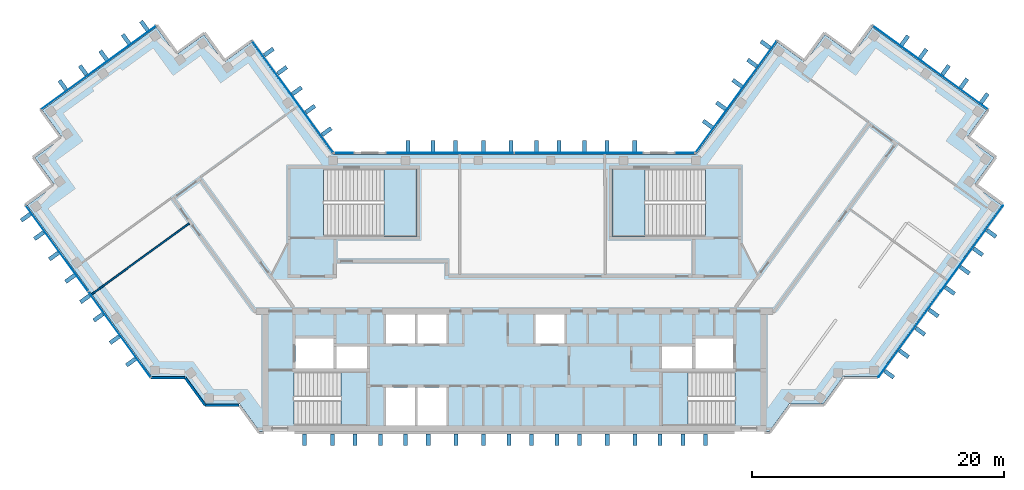
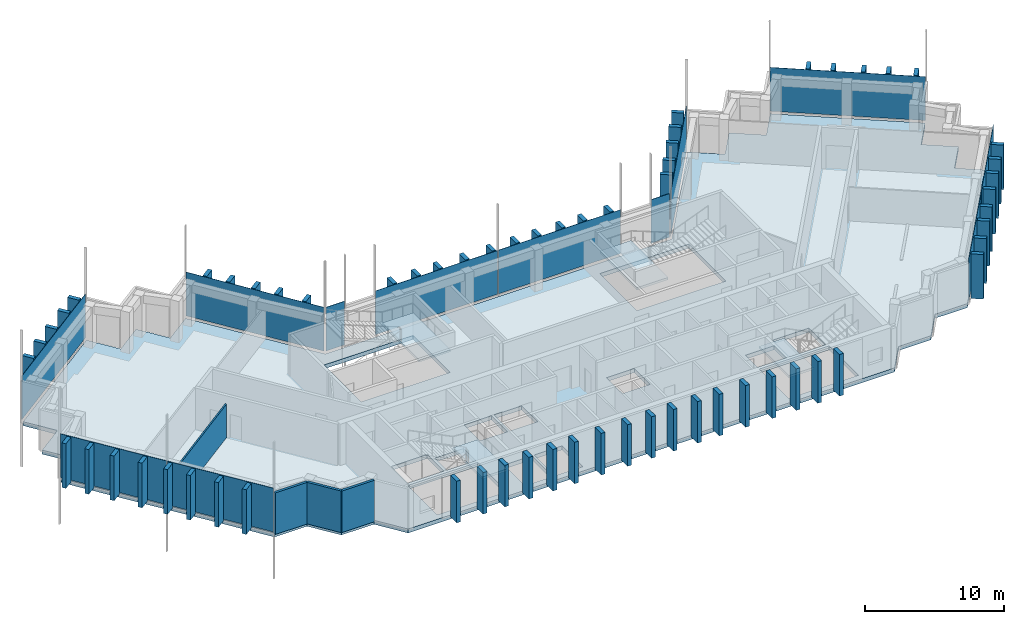
"""IFC4 building model written with IfcOpenShell, lengths in metres."""

from ifc_helpers import new_model, si_unit, direction, frame, frame_2d, origin, origin_2d, place, context, subcontext, project, spatial, polyline, rectangle, outline, extrude, material, layer, layer_set, type_object, element, aggregate, save


model = new_model("IFC4")

# Units and contexts
model_context = context("Model", 3, precision=1e-05, world=origin(), true_north=direction((0.0, 1.0)))
body_context = subcontext(model_context, "Body", "Model", "MODEL_VIEW")
ifc_project = project(units=[si_unit("LENGTHUNIT", "METRE"), si_unit("AREAUNIT", "SQUARE_METRE"), si_unit("VOLUMEUNIT", "CUBIC_METRE"), si_unit("PLANEANGLEUNIT", "RADIAN"), si_unit("MASSUNIT", "GRAM", prefix="KILO")], contexts=[model_context])

# Site, building, storey
site_placement = place(None, origin())
site = spatial("IfcSite", under=ifc_project, at=site_placement, CompositionType="ELEMENT")
building_placement = place(site_placement, origin())
building = spatial("IfcBuilding", under=site, at=building_placement, Name="Quipu Civic Tower", CompositionType="ELEMENT")
storey_1_placement = place(building_placement, frame((0.0, 0.0, 323.0)))
storey_1 = spatial("IfcBuildingStorey", under=building, at=storey_1_placement, Name="L75", CompositionType="ELEMENT", Elevation=323.0)

# Slab
ifc_material_1 = material(Name="Concrete C40/50", Category="concrete")
ifc_layer_1 = layer(ifc_material_1, 0.35009765625)
ifc_layer_set_1 = layer_set([ifc_layer_1], Name="Concrete C40/50")
slab_type_1 = type_object("IfcSlabType", Name="Floor slab 350 C40/50", PredefinedType="FLOOR", material=ifc_layer_set_1)
slab_1_placement = place(storey_1_placement, frame((0.0, 0.0, -0.35009765625)))
element("IfcSlab", 1, at=slab_1_placement, inside=storey_1, type_object=slab_type_1, Name="Floor slab L75", PredefinedType="FLOOR", context=body_context, shape_type="SweptSolid", body=[
    extrude(outline(polyline([(20.860107421875, 19.89501953125), (23.0400390625, 18.31005859375), (24.6298828125, 20.4951171875), (26.81494140625, 18.905029296875), (28.39990234375, 21.090087890625), (37.4599609375, 14.5048828125), (35.875, 12.320068359375), (38.06005859375, 10.735107421875), (36.469970703125, 8.550048828125), (38.655029296875, 6.965087890625), (28.780029296875, -6.6298828125), (26.080078125, -6.6298828125), (24.489990234375, -8.81494140625), (21.7900390625, -8.81494140625), (20.205078125, -11.0), (-20.205078125, -11.0), (-21.7900390625, -8.81494140625), (-24.489990234375, -8.81494140625), (-26.080078125, -6.6298828125), (-28.780029296875, -6.6298828125), (-38.655029296875, 6.965087890625), (-36.469970703125, 8.550048828125), (-38.06005859375, 10.735107421875), (-35.875, 12.320068359375), (-37.4599609375, 14.5048828125), (-28.39990234375, 21.090087890625), (-26.81494140625, 18.905029296875), (-24.6298828125, 20.4951171875), (-23.0400390625, 18.31005859375), (-20.860107421875, 19.89501953125), (-14.39501953125, 11.0), (14.39501953125, 11.0), (20.860107421875, 19.89501953125)]), holes=[polyline([(-10.199951171875, -10.5), (-7.89990234375, -10.5), (-7.89990234375, -7.5), (-10.199951171875, -7.5), (-10.199951171875, -10.5)]), polyline([(-7.699951171875, -7.5), (-7.699951171875, -10.5), (-5.39990234375, -10.5), (-5.39990234375, -7.5), (-7.699951171875, -7.5)]), polyline([(-11.705078125, -6.2548828125), (-17.4951171875, -6.2548828125), (-17.4951171875, -10.4951171875), (-11.705078125, -10.4951171875), (-11.705078125, -6.2548828125)]), polyline([(-14.10009765625, -6.0), (-11.699951171875, -6.0), (-11.699951171875, -4.25), (-14.10009765625, -4.25), (-14.10009765625, -6.0)]), polyline([(-17.35009765625, -3.60009765625), (-17.35009765625, -6.0), (-14.35009765625, -6.0), (-14.35009765625, -3.60009765625), (-17.35009765625, -3.60009765625)]), polyline([(-10.199951171875, -1.699951171875), (-10.199951171875, -4.0), (-7.89990234375, -4.0), (-7.89990234375, -1.699951171875), (-10.199951171875, -1.699951171875)]), polyline([(-15.14501953125, 9.844970703125), (-15.14501953125, 4.5048828125), (-7.7548828125, 4.5048828125), (-7.7548828125, 9.844970703125), (-15.14501953125, 9.844970703125)]), polyline([(11.705078125, -10.4951171875), (17.4951171875, -10.4951171875), (17.4951171875, -6.2548828125), (11.705078125, -6.2548828125), (11.705078125, -10.4951171875)]), polyline([(11.699951171875, -4.25), (11.699951171875, -6.0), (14.10009765625, -6.0), (14.10009765625, -4.25), (11.699951171875, -4.25)]), polyline([(14.35009765625, -3.60009765625), (14.35009765625, -6.0), (17.35009765625, -6.0), (17.35009765625, -3.60009765625), (14.35009765625, -3.60009765625)]), polyline([(-7.699951171875, -1.699951171875), (-7.699951171875, -4.0), (-5.39990234375, -4.0), (-5.39990234375, -1.699951171875), (-7.699951171875, -1.699951171875)]), polyline([(1.64990234375, -1.699951171875), (1.64990234375, -4.0), (3.949951171875, -4.0), (3.949951171875, -1.699951171875), (1.64990234375, -1.699951171875)]), polyline([(7.7548828125, 4.5048828125), (15.14501953125, 4.5048828125), (15.14501953125, 9.844970703125), (7.7548828125, 9.844970703125), (7.7548828125, 4.5048828125)])]), origin(), (0.0, 0.0, 1.0), 0.35009765625),
])

# Curtain wall, plate
ifc_material_2 = material(Name="Insulated glass unit", Category="glass")
curtain_wall_type = type_object("IfcCurtainWallType", Name="Office curtain wall CW1", PredefinedType="NOTDEFINED", material=ifc_material_2)
curtain_wall_1_placement = place(storey_1_placement, origin())
curtain_wall_1 = element("IfcCurtainWall", 2, at=curtain_wall_1_placement, inside=storey_1, type_object=curtain_wall_type, Name="Office curtain wall CW1 L74 run 8", PredefinedType="NOTDEFINED")
ifc_material_3 = material(Name="Insulated glass unit", Category="glass")
ifc_layer_2 = layer(ifc_material_3, 0.028076171875)
ifc_layer_set_2 = layer_set([ifc_layer_2], Name="Insulated glass unit")
plate_type_1 = type_object("IfcPlateType", Name="Glass panel CW1", PredefinedType="CURTAIN_PANEL", material=ifc_layer_set_2)
plate_1_placement = place(storey_1_placement, frame((-17.590087890625, 15.5673828125, 0.16015625), z_axis=(0.0, 0.0, 1.0), x_axis=(-0.587787771652, 0.809015163947, 0.0)))
plate_1 = element("IfcPlate", 3, at=plate_1_placement, type_object=plate_type_1, Name="CW1 panel 1.2", PredefinedType="CURTAIN_PANEL", context=body_context, shape_type="SweptSolid", body=[
    extrude(rectangle(XDim=10.88427734375, YDim=0.028076171875, at=origin_2d()), origin(), (0.0, 0.0, 1.0), 3.840087890625),
])
aggregate(curtain_wall_1, [plate_1])

curtain_wall_2_placement = place(storey_1_placement, origin())
curtain_wall_2 = element("IfcCurtainWall", 4, at=curtain_wall_2_placement, inside=storey_1, type_object=curtain_wall_type, Name="Office curtain wall CW1 L74 run 13", PredefinedType="NOTDEFINED")
plate_2_placement = place(storey_1_placement, frame((-32.989990234375, 17.87939453125, 0.16015625), z_axis=(0.0, 0.0, 1.0), x_axis=(-0.809015176832, -0.587787753918, 0.0)))
plate_2 = element("IfcPlate", 5, at=plate_2_placement, type_object=plate_type_1, Name="CW1 panel 1.2", PredefinedType="CURTAIN_PANEL", context=body_context, shape_type="SweptSolid", body=[
    extrude(rectangle(XDim=11.239990234375, YDim=0.028076171875, at=origin_2d()), origin(), (0.0, 0.0, 1.0), 3.840087890625),
])
aggregate(curtain_wall_2, [plate_2])

# Curtain wall, plates
curtain_wall_3_placement = place(storey_1_placement, origin())
curtain_wall_3 = element("IfcCurtainWall", 6, at=curtain_wall_3_placement, inside=storey_1, type_object=curtain_wall_type, Name="Office curtain wall CW1 L74 run 18", PredefinedType="NOTDEFINED")
plate_3_placement = place(storey_1_placement, frame((-36.292724609375, 3.54052734375, 0.16015625), z_axis=(0.0, 0.0, 1.0), x_axis=(0.587786237643, -0.809016278475, 0.0)))
plate_3 = element("IfcPlate", 7, at=plate_3_placement, type_object=plate_type_1, Name="CW1 panel 1.2", PredefinedType="CURTAIN_PANEL", context=body_context, shape_type="SweptSolid", body=[
    extrude(rectangle(XDim=8.35791015625, YDim=0.028076171875, at=origin_2d()), origin(), (0.0, 0.0, 1.0), 3.840087890625),
])
plate_4_placement = place(storey_1_placement, frame((-31.333251953125, -3.285888671875, 0.16015625), z_axis=(0.0, 0.0, 1.0), x_axis=(0.587786237643, -0.809016278475, 0.0)))
plate_4 = element("IfcPlate", 8, at=plate_4_placement, type_object=plate_type_1, Name="CW1 panel 2.2", PredefinedType="CURTAIN_PANEL", context=body_context, shape_type="SweptSolid", body=[
    extrude(rectangle(XDim=8.35791015625, YDim=0.028076171875, at=origin_2d()), origin(), (0.0, 0.0, 1.0), 3.840087890625),
])
aggregate(curtain_wall_3, [plate_3, plate_4])

# Curtain wall, plate
curtain_wall_4_placement = place(storey_1_placement, origin())
curtain_wall_4 = element("IfcCurtainWall", 9, at=curtain_wall_4_placement, inside=storey_1, type_object=curtain_wall_type, Name="Office curtain wall CW1 L74 run 28", PredefinedType="NOTDEFINED")
plate_5_placement = place(storey_1_placement, frame((32.989990234375, 17.87939453125, 0.16015625), z_axis=(0.0, 0.0, 1.0), x_axis=(-0.809015176832, 0.587787753918, 0.0)))
plate_5 = element("IfcPlate", 10, at=plate_5_placement, type_object=plate_type_1, Name="CW1 panel 1.2", PredefinedType="CURTAIN_PANEL", context=body_context, shape_type="SweptSolid", body=[
    extrude(rectangle(XDim=11.239990234375, YDim=0.028076171875, at=origin_2d()), origin(), (0.0, 0.0, 1.0), 3.840087890625),
])
aggregate(curtain_wall_4, [plate_5])

curtain_wall_5_placement = place(storey_1_placement, origin())
curtain_wall_5 = element("IfcCurtainWall", 11, at=curtain_wall_5_placement, inside=storey_1, type_object=curtain_wall_type, Name="Office curtain wall CW1 L74 run 33", PredefinedType="NOTDEFINED")
plate_6_placement = place(storey_1_placement, frame((17.590087890625, 15.5673828125, 0.16015625), z_axis=(0.0, 0.0, 1.0), x_axis=(-0.587787771652, -0.809015163947, 0.0)))
plate_6 = element("IfcPlate", 12, at=plate_6_placement, type_object=plate_type_1, Name="CW1 panel 1.2", PredefinedType="CURTAIN_PANEL", context=body_context, shape_type="SweptSolid", body=[
    extrude(rectangle(XDim=10.88427734375, YDim=0.028076171875, at=origin_2d()), origin(), (0.0, 0.0, 1.0), 3.840087890625),
])
aggregate(curtain_wall_5, [plate_6])

curtain_wall_6_placement = place(storey_1_placement, origin())
curtain_wall_6 = element("IfcCurtainWall", 13, at=curtain_wall_6_placement, inside=storey_1, type_object=curtain_wall_type, Name="Office curtain wall CW1 L74 run 34", PredefinedType="NOTDEFINED")
plate_7_placement = place(storey_1_placement, frame((13.49951171875, 11.10009765625, 0.16015625), z_axis=(0.0, 0.0, 1.0), x_axis=(-1.0, 0.0, 0.0)))
plate_7 = element("IfcPlate", 14, at=plate_7_placement, type_object=plate_type_1, Name="CW1 panel 1.2", PredefinedType="CURTAIN_PANEL", context=body_context, shape_type="SweptSolid", body=[
    extrude(rectangle(XDim=1.529296875, YDim=0.028076171875, at=origin_2d()), origin(), (0.0, 0.0, 1.0), 3.840087890625),
])
aggregate(curtain_wall_6, [plate_7])

# Curtain wall, plates
curtain_wall_7_placement = place(storey_1_placement, origin())
curtain_wall_7 = element("IfcCurtainWall", 15, at=curtain_wall_7_placement, inside=storey_1, type_object=curtain_wall_type, Name="Office curtain wall CW1 L74 run 36", PredefinedType="NOTDEFINED")
plate_8_placement = place(storey_1_placement, frame((5.11181640625, 11.10009765625, 0.16015625), z_axis=(0.0, 0.0, 1.0), x_axis=(-1.0, 0.0, 0.0)))
plate_8 = element("IfcPlate", 16, at=plate_8_placement, type_object=plate_type_1, Name="CW1 panel 1.2", PredefinedType="CURTAIN_PANEL", context=body_context, shape_type="SweptSolid", body=[
    extrude(rectangle(XDim=10.1435546875, YDim=0.028076171875, at=origin_2d()), origin(), (0.0, 0.0, 1.0), 3.840087890625),
])
plate_9_placement = place(storey_1_placement, frame((-5.11181640625, 11.10009765625, 0.16015625), z_axis=(0.0, 0.0, 1.0), x_axis=(-1.0, 0.0, 0.0)))
plate_9 = element("IfcPlate", 17, at=plate_9_placement, type_object=plate_type_1, Name="CW1 panel 2.2", PredefinedType="CURTAIN_PANEL", context=body_context, shape_type="SweptSolid", body=[
    extrude(rectangle(XDim=10.1435546875, YDim=0.028076171875, at=origin_2d()), origin(), (0.0, 0.0, 1.0), 3.840087890625),
])
aggregate(curtain_wall_7, [plate_8, plate_9])

# Curtain wall, plate
curtain_wall_8_placement = place(storey_1_placement, origin())
curtain_wall_8 = element("IfcCurtainWall", 18, at=curtain_wall_8_placement, inside=storey_1, type_object=curtain_wall_type, Name="Office curtain wall CW1 L74 run 38", PredefinedType="NOTDEFINED")
plate_10_placement = place(storey_1_placement, frame((-13.49951171875, 11.10009765625, 0.16015625), z_axis=(0.0, 0.0, 1.0), x_axis=(-1.0, 0.0, 0.0)))
plate_10 = element("IfcPlate", 19, at=plate_10_placement, type_object=plate_type_1, Name="CW1 panel 1.2", PredefinedType="CURTAIN_PANEL", context=body_context, shape_type="SweptSolid", body=[
    extrude(rectangle(XDim=1.529296875, YDim=0.028076171875, at=origin_2d()), origin(), (0.0, 0.0, 1.0), 3.840087890625),
])
aggregate(curtain_wall_8, [plate_10])

# Storey
storey_2_placement = place(building_placement, frame((0.0, 0.0, 327.0)))
storey_2 = spatial("IfcBuildingStorey", under=building, at=storey_2_placement, Name="L76", CompositionType="ELEMENT", Elevation=327.0)

# Curtain wall, plates
curtain_wall_9_placement = place(storey_2_placement, origin())
curtain_wall_9 = element("IfcCurtainWall", 20, at=curtain_wall_9_placement, inside=storey_2, type_object=curtain_wall_type, Name="Office curtain wall CW1 L75 run 4", PredefinedType="NOTDEFINED")
plate_11_placement = place(storey_1_placement, frame((31.333251953125, -3.285888671875, 0.240234375), z_axis=(0.0, 0.0, 1.0), x_axis=(0.587786237643, 0.809016278475, 0.0)))
plate_11 = element("IfcPlate", 21, at=plate_11_placement, inside=storey_1, type_object=plate_type_1, Name="CW1 panel 1.1", PredefinedType="CURTAIN_PANEL", context=body_context, shape_type="SweptSolid", body=[
    extrude(rectangle(XDim=8.35791015625, YDim=0.028076171875, at=origin_2d()), origin(), (0.0, 0.0, 1.0), 3.760009765625),
])
plate_12_placement = place(storey_1_placement, frame((36.292724609375, 3.54052734375, 0.240234375), z_axis=(0.0, 0.0, 1.0), x_axis=(0.587786237643, 0.809016278475, 0.0)))
plate_12 = element("IfcPlate", 22, at=plate_12_placement, inside=storey_1, type_object=plate_type_1, Name="CW1 panel 2.1", PredefinedType="CURTAIN_PANEL", context=body_context, shape_type="SweptSolid", body=[
    extrude(rectangle(XDim=8.35791015625, YDim=0.028076171875, at=origin_2d()), origin(), (0.0, 0.0, 1.0), 3.760009765625),
])
aggregate(curtain_wall_9, [plate_11, plate_12])

# Plates
ifc_material_4 = material(Name="Precast concrete C40/50", Category="concrete")
plate_type_2 = type_object("IfcPlateType", Name="Precast fin F3", PredefinedType="SHEET", material=ifc_material_4)
for number, where, z_axis, x_axis, name in (
    (23, (-14.90380859375, 12.805908203125, 0.080078125), (0.0, 0.0, 1.0), (-0.58778443384, 0.809017589015, 0.0), "Precast fin F3 L75.P04.1"),
    (24, (-16.197021484375, 14.585693359375, 0.080078125), (0.0, 0.0, 1.0), (-0.58778443384, 0.809017589015, 0.0), "Precast fin F3 L75.P04.2"),
    (25, (-17.2548828125, 16.0419921875, 0.080078125), (0.0, 0.0, 1.0), (-0.58778443384, 0.809017589015, 0.0), "Precast fin F3 L75.P04.3"),
    (26, (-18.4306640625, 17.66015625, 0.080078125), (0.0, 0.0, 1.0), (-0.58778443384, 0.809017589015, 0.0), "Precast fin F3 L75.P04.4"),
    (27, (-19.488525390625, 19.1162109375, 0.080078125), (0.0, 0.0, 1.0), (-0.58778443384, 0.809017589015, 0.0), "Precast fin F3 L75.P04.5"),
    (28, (-29.357177734375, 21.198486328125, 0.080078125), (0.0, 0.0, 1.0), (-0.809017072762, -0.587785144401, 0.0), "Precast fin F3 L75.P09.1"),
    (29, (-30.8134765625, 20.140625, 0.080078125), (0.0, 0.0, 1.0), (-0.809017072762, -0.587785144401, 0.0), "Precast fin F3 L75.P09.2"),
    (30, (-32.59326171875, 18.847412109375, 0.080078125), (0.0, 0.0, 1.0), (-0.809017072762, -0.587785144401, 0.0), "Precast fin F3 L75.P09.3"),
    (31, (-34.21142578125, 17.671875, 0.080078125), (0.0, 0.0, 1.0), (-0.809017072762, -0.587785144401, 0.0), "Precast fin F3 L75.P09.4"),
    (32, (-35.829345703125, 16.496337890625, 0.080078125), (0.0, 0.0, 1.0), (-0.809017072762, -0.587785144401, 0.0), "Precast fin F3 L75.P09.5"),
    (33, (-38.764892578125, 6.007568359375, 0.080078125), (0.0, 0.0, 1.0), (0.587786668783, -0.809015965233, 0.0), "Precast fin F3 L75.P14.1"),
    (34, (-37.70703125, 4.55126953125, 0.080078125), (0.0, 0.0, 1.0), (0.587786668783, -0.809015965233, 0.0), "Precast fin F3 L75.P14.2"),
    (35, (-36.53125, 2.933349609375, 0.080078125), (0.0, 0.0, 1.0), (0.587786668783, -0.809015965233, 0.0), "Precast fin F3 L75.P14.3"),
    (36, (-35.23828125, 1.1533203125, 0.080078125), (0.0, 0.0, 1.0), (0.587786668783, -0.809015965233, 0.0), "Precast fin F3 L75.P14.4"),
    (37, (-34.062744140625, -0.464599609375, 0.080078125), (0.0, 0.0, 1.0), (0.587786668783, -0.809015965233, 0.0), "Precast fin F3 L75.P14.5"),
    (38, (-33.004638671875, -1.9208984375, 0.080078125), (0.0, 0.0, 1.0), (0.587786668783, -0.809015965233, 0.0), "Precast fin F3 L75.P14.6"),
    (39, (-31.71142578125, -3.70068359375, 0.080078125), (0.0, 0.0, 1.0), (0.587786668783, -0.809015965233, 0.0), "Precast fin F3 L75.P14.7"),
    (40, (-30.41845703125, -5.48046875, 0.080078125), (0.0, 0.0, 1.0), (0.587786668783, -0.809015965233, 0.0), "Precast fin F3 L75.P14.8"),
):
    element("IfcPlate", number, at=place(storey_1_placement, frame(where, z_axis=z_axis, x_axis=x_axis)), inside=storey_1, type_object=plate_type_2, Name=name, PredefinedType="SHEET", context=body_context, shape_type="SweptSolid", body=[
        extrude(rectangle(XDim=0.320068359375, YDim=0.89990234375, at=origin_2d()), origin(), (0.0, 0.0, 1.0), 3.919921875),
    ])
for number, where, z_axis, x_axis, name in (
    (41, (-16.639892578125, -11.637939453125, 0.0), (0.0, 0.0, 1.0), (1.0, 0.0, 0.0), "Precast fin F3 L75.P21.1"),
    (42, (-14.43994140625, -11.637939453125, 0.0), (0.0, 0.0, 1.0), (1.0, 0.0, 0.0), "Precast fin F3 L75.P21.2"),
    (43, (-12.639892578125, -11.637939453125, 0.0), (0.0, 0.0, 1.0), (1.0, 0.0, 0.0), "Precast fin F3 L75.P21.3"),
    (44, (-10.639892578125, -11.637939453125, 0.0), (0.0, 0.0, 1.0), (1.0, 0.0, 0.0), "Precast fin F3 L75.P21.4"),
    (45, (-8.639892578125, -11.637939453125, 0.0), (0.0, 0.0, 1.0), (1.0, 0.0, 0.0), "Precast fin F3 L75.P21.5"),
    (46, (-6.840087890625, -11.637939453125, 0.0), (0.0, 0.0, 1.0), (1.0, 0.0, 0.0), "Precast fin F3 L75.P21.6"),
    (47, (-4.639892578125, -11.637939453125, 0.0), (0.0, 0.0, 1.0), (1.0, 0.0, 0.0), "Precast fin F3 L75.P21.7"),
    (48, (-2.43994140625, -11.637939453125, 0.0), (0.0, 0.0, 1.0), (1.0, 0.0, 0.0), "Precast fin F3 L75.P21.8"),
    (49, (-0.43994140625, -11.637939453125, 0.0), (0.0, 0.0, 1.0), (1.0, 0.0, 0.0), "Precast fin F3 L75.P21.9"),
    (50, (1.360107421875, -11.637939453125, 0.0), (0.0, 0.0, 1.0), (1.0, 0.0, 0.0), "Precast fin F3 L75.P21.10"),
    (51, (3.360107421875, -11.637939453125, 0.0), (0.0, 0.0, 1.0), (1.0, 0.0, 0.0), "Precast fin F3 L75.P21.11"),
    (52, (5.159912109375, -11.637939453125, 0.0), (0.0, 0.0, 1.0), (1.0, 0.0, 0.0), "Precast fin F3 L75.P21.12"),
    (53, (7.360107421875, -11.637939453125, 0.0), (0.0, 0.0, 1.0), (1.0, 0.0, 0.0), "Precast fin F3 L75.P21.13"),
    (54, (9.56005859375, -11.637939453125, 0.0), (0.0, 0.0, 1.0), (1.0, 0.0, 0.0), "Precast fin F3 L75.P21.14"),
    (55, (11.56005859375, -11.637939453125, 0.0), (0.0, 0.0, 1.0), (1.0, 0.0, 0.0), "Precast fin F3 L75.P21.15"),
    (56, (13.360107421875, -11.637939453125, 0.0), (0.0, 0.0, 1.0), (1.0, 0.0, 0.0), "Precast fin F3 L75.P21.16"),
    (57, (15.159912109375, -11.637939453125, 0.0), (0.0, 0.0, 1.0), (1.0, 0.0, 0.0), "Precast fin F3 L75.P21.17"),
):
    element("IfcPlate", number, at=place(storey_1_placement, frame(where, z_axis=z_axis, x_axis=x_axis)), inside=storey_1, type_object=plate_type_2, Name=name, PredefinedType="SHEET", context=body_context, shape_type="SweptSolid", body=[
        extrude(rectangle(XDim=0.320068359375, YDim=0.89990234375, at=origin_2d()), origin(), (0.0, 0.0, 1.0), 3.64990234375),
    ])
for number, where, z_axis, x_axis, name in (
    (58, (37.26953125, 15.449951171875, 0.080078125), (0.0, 0.0, 1.0), (-0.809017072762, 0.587785144401, 0.0), "Precast fin F3 L75.P25.1"),
    (59, (35.6513671875, 16.62548828125, 0.080078125), (0.0, 0.0, 1.0), (-0.809017072762, 0.587785144401, 0.0), "Precast fin F3 L75.P25.2"),
    (60, (34.1953125, 17.68359375, 0.080078125), (0.0, 0.0, 1.0), (-0.809017072762, 0.587785144401, 0.0), "Precast fin F3 L75.P25.3"),
    (61, (32.415283203125, 18.976806640625, 0.080078125), (0.0, 0.0, 1.0), (-0.809017072762, 0.587785144401, 0.0), "Precast fin F3 L75.P25.4"),
    (62, (30.959228515625, 20.03466796875, 0.080078125), (0.0, 0.0, 1.0), (-0.809017072762, 0.587785144401, 0.0), "Precast fin F3 L75.P25.5"),
    (63, (19.914794921875, 19.702880859375, 0.080078125), (0.0, 0.0, 1.0), (-0.58778443384, -0.809017589015, 0.0), "Precast fin F3 L75.P30.1"),
    (64, (18.856689453125, 18.246826171875, 0.080078125), (0.0, 0.0, 1.0), (-0.58778443384, -0.809017589015, 0.0), "Precast fin F3 L75.P30.2"),
    (65, (17.68115234375, 16.628662109375, 0.080078125), (0.0, 0.0, 1.0), (-0.58778443384, -0.809017589015, 0.0), "Precast fin F3 L75.P30.3"),
    (66, (16.38818359375, 14.848876953125, 0.080078125), (0.0, 0.0, 1.0), (-0.58778443384, -0.809017589015, 0.0), "Precast fin F3 L75.P30.4"),
    (67, (15.330078125, 13.392578125, 0.080078125), (0.0, 0.0, 1.0), (-0.58778443384, -0.809017589015, 0.0), "Precast fin F3 L75.P30.5"),
    (68, (9.5400390625, 11.64990234375, 0.080078125), (0.0, 0.0, 1.0), (-1.0, 0.0, 0.0), "Precast fin F3 L75.P33.1"),
    (69, (7.340087890625, 11.64990234375, 0.080078125), (0.0, 0.0, 1.0), (-1.0, 0.0, 0.0), "Precast fin F3 L75.P33.2"),
    (70, (5.5400390625, 11.64990234375, 0.080078125), (0.0, 0.0, 1.0), (-1.0, 0.0, 0.0), "Precast fin F3 L75.P33.3"),
    (71, (3.5400390625, 11.64990234375, 0.080078125), (0.0, 0.0, 1.0), (-1.0, 0.0, 0.0), "Precast fin F3 L75.P33.4"),
    (72, (1.739990234375, 11.64990234375, 0.080078125), (0.0, 0.0, 1.0), (-1.0, 0.0, 0.0), "Precast fin F3 L75.P33.5"),
    (73, (-0.260009765625, 11.64990234375, 0.080078125), (0.0, 0.0, 1.0), (-1.0, 0.0, 0.0), "Precast fin F3 L75.P33.6"),
    (74, (-2.4599609375, 11.64990234375, 0.080078125), (0.0, 0.0, 1.0), (-1.0, 0.0, 0.0), "Precast fin F3 L75.P33.7"),
    (75, (-4.659912109375, 11.64990234375, 0.080078125), (0.0, 0.0, 1.0), (-1.0, 0.0, 0.0), "Precast fin F3 L75.P33.8"),
    (76, (-6.4599609375, 11.64990234375, 0.080078125), (0.0, 0.0, 1.0), (-1.0, 0.0, 0.0), "Precast fin F3 L75.P33.9"),
    (77, (-8.4599609375, 11.64990234375, 0.080078125), (0.0, 0.0, 1.0), (-1.0, 0.0, 0.0), "Precast fin F3 L75.P33.10"),
    (78, (29.721923828125, -6.43896484375, 0.080078125), (0.0, 0.0, 1.0), (0.587786668783, 0.809015965233, 0.0), "Precast fin F3 L75.4.1"),
    (79, (30.8974609375, -4.821044921875, 0.080078125), (0.0, 0.0, 1.0), (0.587786668783, 0.809015965233, 0.0), "Precast fin F3 L75.4.2"),
    (80, (32.190673828125, -3.041015625, 0.080078125), (0.0, 0.0, 1.0), (0.587786668783, 0.809015965233, 0.0), "Precast fin F3 L75.4.3"),
    (81, (33.248779296875, -1.5849609375, 0.080078125), (0.0, 0.0, 1.0), (0.587786668783, 0.809015965233, 0.0), "Precast fin F3 L75.4.4"),
    (82, (34.541748046875, 0.195068359375, 0.080078125), (0.0, 0.0, 1.0), (0.587786668783, 0.809015965233, 0.0), "Precast fin F3 L75.4.5"),
    (83, (35.717529296875, 1.81298828125, 0.080078125), (0.0, 0.0, 1.0), (0.587786668783, 0.809015965233, 0.0), "Precast fin F3 L75.4.6"),
    (84, (36.775390625, 3.269287109375, 0.080078125), (0.0, 0.0, 1.0), (0.587786668783, 0.809015965233, 0.0), "Precast fin F3 L75.4.7"),
    (85, (37.83349609375, 4.725341796875, 0.080078125), (0.0, 0.0, 1.0), (0.587786668783, 0.809015965233, 0.0), "Precast fin F3 L75.4.8"),
):
    element("IfcPlate", number, at=place(storey_1_placement, frame(where, z_axis=z_axis, x_axis=x_axis)), inside=storey_1, type_object=plate_type_2, Name=name, PredefinedType="SHEET", context=body_context, shape_type="SweptSolid", body=[
        extrude(rectangle(XDim=0.320068359375, YDim=0.89990234375, at=origin_2d()), origin(), (0.0, 0.0, 1.0), 3.919921875),
    ])

# Stair, slab
ifc_material_5 = material(Name="Concrete C40/50", Category="concrete")
stair_type_1 = type_object("IfcStairType", Name="Half turn stair 2000", PredefinedType="HALF_TURN_STAIR", material=ifc_material_5)
stair_1_placement = place(storey_1_placement, origin())
stair_1 = element("IfcStair", 86, at=stair_1_placement, inside=storey_1, type_object=stair_type_1, Name="Exit stair 1", PredefinedType="HALF_TURN_STAIR")
ifc_material_6 = material(Name="Concrete C40/50", Category="concrete")
ifc_layer_3 = layer(ifc_material_6, 0.199951171875)
ifc_layer_set_3 = layer_set([ifc_layer_3], Name="Concrete C40/50")
slab_type_2 = type_object("IfcSlabType", Name="Stair landing 200", PredefinedType="LANDING", material=ifc_layer_set_3)
slab_2_placement = place(storey_1_placement, frame((0.0, 0.0, 1.800048828125)))
slab_2 = element("IfcSlab", 87, at=slab_2_placement, type_object=slab_type_2, Name="ST-1 landing 1", PredefinedType="LANDING", context=body_context, shape_type="SweptSolid", body=[
    extrude(outline(polyline([(-13.780029296875, -10.5), (-11.699951171875, -10.5), (-11.699951171875, -6.25), (-13.780029296875, -6.25), (-13.780029296875, -10.5)])), origin(), (0.0, 0.0, 1.0), 0.199951171875),
])
aggregate(stair_1, [slab_2])

stair_2_placement = place(storey_1_placement, origin())
stair_2 = element("IfcStair", 88, at=stair_2_placement, inside=storey_1, type_object=stair_type_1, Name="Exit stair 2", PredefinedType="HALF_TURN_STAIR")
slab_3_placement = place(storey_1_placement, frame((0.0, 0.0, 1.800048828125)))
slab_3 = element("IfcSlab", 89, at=slab_3_placement, type_object=slab_type_2, Name="ST-2 landing 1", PredefinedType="LANDING", context=body_context, shape_type="SweptSolid", body=[
    extrude(outline(polyline([(13.780029296875, -6.25), (11.699951171875, -6.25), (11.699951171875, -10.5), (13.780029296875, -10.5), (13.780029296875, -6.25)])), origin(), (0.0, 0.0, 1.0), 0.199951171875),
])
aggregate(stair_2, [slab_3])

ifc_material_7 = material(Name="Concrete C40/50", Category="concrete")
stair_type_2 = type_object("IfcStairType", Name="Half turn stair 2600", PredefinedType="HALF_TURN_STAIR", material=ifc_material_7)
stair_3_placement = place(storey_1_placement, origin())
stair_3 = element("IfcStair", 90, at=stair_3_placement, inside=storey_1, type_object=stair_type_2, Name="Exit stair 3", PredefinedType="HALF_TURN_STAIR")
slab_4_placement = place(storey_1_placement, frame((0.0, 0.0, 1.800048828125)))
slab_4 = element("IfcSlab", 91, at=slab_4_placement, type_object=slab_type_2, Name="ST-3 landing 1", PredefinedType="LANDING", context=body_context, shape_type="SweptSolid", body=[
    extrude(outline(polyline([(-10.35009765625, 4.5), (-7.75, 4.5), (-7.75, 9.85009765625), (-10.35009765625, 9.85009765625), (-10.35009765625, 4.5)])), origin(), (0.0, 0.0, 1.0), 0.199951171875),
])
aggregate(stair_3, [slab_4])

stair_4_placement = place(storey_1_placement, origin())
stair_4 = element("IfcStair", 92, at=stair_4_placement, inside=storey_1, type_object=stair_type_2, Name="Exit stair 4", PredefinedType="HALF_TURN_STAIR")
slab_5_placement = place(storey_1_placement, frame((0.0, 0.0, 1.800048828125)))
slab_5 = element("IfcSlab", 93, at=slab_5_placement, type_object=slab_type_2, Name="ST-4 landing 1", PredefinedType="LANDING", context=body_context, shape_type="SweptSolid", body=[
    extrude(outline(polyline([(10.35009765625, 9.85009765625), (7.75, 9.85009765625), (7.75, 4.5), (10.35009765625, 4.5), (10.35009765625, 9.85009765625)])), origin(), (0.0, 0.0, 1.0), 0.199951171875),
])
aggregate(stair_4, [slab_5])

# Walls
ifc_material_8 = material(Name="Gypsum plasterboard on light gauge framing")
ifc_layer_4 = layer(ifc_material_8, 0.1201171875)
ifc_layer_set_4 = layer_set([ifc_layer_4], Name="Gypsum plasterboard on light gauge framing")
wall_type_1 = type_object("IfcWallType", Name="Partition 120 plasterboard", PredefinedType="PARTITIONING", material=ifc_layer_set_4)
wall_1_placement = place(storey_1_placement, frame((-25.80224609375, 5.518798828125, 0.0), z_axis=(0.0, 0.0, 1.0), x_axis=(-0.808994179369, -0.587816653173, 0.0)))
element("IfcWall", 94, at=wall_1_placement, inside=storey_1, type_object=wall_type_1, Name="Partition P06", PredefinedType="PARTITIONING", context=body_context, shape_type="SweptSolid", body=[
    extrude(rectangle(XDim=9.650634765625, YDim=0.1201171875, at=frame_2d((4.8251953125, 0.0))), origin(), (0.0, 0.0, 1.0), 2.949951171875),
])
ifc_material_9 = material(Name="Precast concrete C40/50", Category="concrete")
wall_type_2 = type_object("IfcWallType", Name="Precast cladding wall", PredefinedType="SOLIDWALL", material=ifc_material_9)
wall_2_placement = place(storey_1_placement, frame((-28.829833984375, -6.71923828125, 0.0), z_axis=(0.0, 0.0, 1.0), x_axis=(1.0, 0.0, 0.0)))
element("IfcWall", 95, at=wall_2_placement, inside=storey_1, type_object=wall_type_2, Name="Precast cladding wall L75 P15", PredefinedType="SOLIDWALL", context=body_context, shape_type="SweptSolid", body=[
    extrude(rectangle(XDim=2.699951171875, YDim=0.199951171875, at=frame_2d((1.35009765625, 0.0))), origin(), (0.0, 0.0, 1.0), 3.64990234375),
])
wall_3_placement = place(storey_1_placement, frame((-26.1201171875, -6.72412109375, 0.0), z_axis=(0.0, 0.0, 1.0), x_axis=(0.587720002413, -0.809064397168, 0.0)))
element("IfcWall", 96, at=wall_3_placement, inside=storey_1, type_object=wall_type_2, Name="Precast cladding wall L75 P16", PredefinedType="SOLIDWALL", context=body_context, shape_type="SweptSolid", body=[
    extrude(rectangle(XDim=2.7001953125, YDim=0.199951171875, at=frame_2d((1.35009765625, 0.0))), origin(), (0.0, 0.0, 1.0), 3.64990234375),
])
wall_4_placement = place(storey_1_placement, frame((-24.542724609375, -8.90380859375, 0.0), z_axis=(0.0, 0.0, 1.0), x_axis=(1.0, 0.0, 0.0)))
element("IfcWall", 97, at=wall_4_placement, inside=storey_1, type_object=wall_type_2, Name="Precast cladding wall L75 P17", PredefinedType="SOLIDWALL", context=body_context, shape_type="SweptSolid", body=[
    extrude(rectangle(XDim=2.699951171875, YDim=0.199951171875, at=frame_2d((1.35009765625, 0.0))), origin(), (0.0, 0.0, 1.0), 3.64990234375),
])

save(model, "model.ifc")
